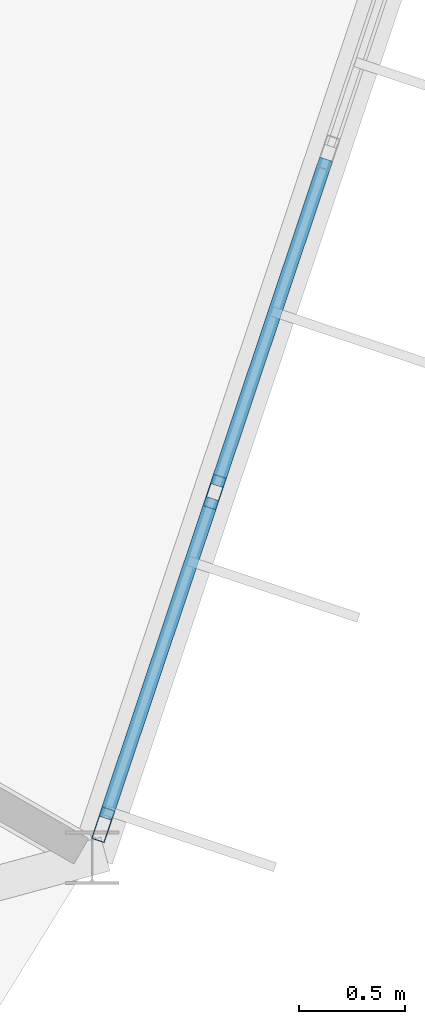
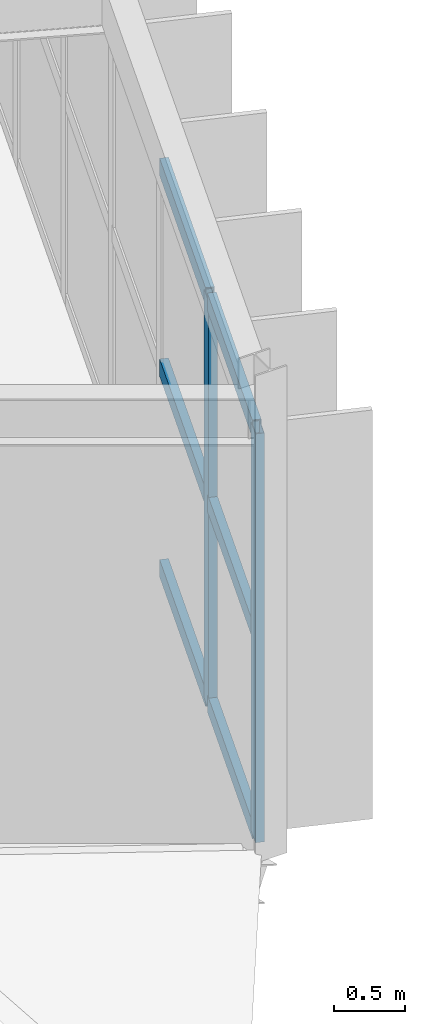
# One storey, part 17 of 66: 8 members, 1 element without a shape of its own.
"""IFC4 building model written with IfcOpenShell, lengths in metres."""

from ifc_helpers import new_model, si_unit, direction, frame, origin, origin_2d, place, context, subcontext, project, spatial, hollow_rectangle, extrude, material, material_profile, profile_set, type_object, element, aggregate, save


model = new_model("IFC4")

# Units and contexts
model_context = context("Model", 3, precision=1e-05, world=origin(), true_north=direction((0.0, 1.0)))
body_context = subcontext(model_context, "Body", "Model", "MODEL_VIEW")
ifc_project = project(units=[si_unit("LENGTHUNIT", "METRE"), si_unit("AREAUNIT", "SQUARE_METRE"), si_unit("VOLUMEUNIT", "CUBIC_METRE"), si_unit("PLANEANGLEUNIT", "RADIAN"), si_unit("MASSUNIT", "GRAM", prefix="KILO")], contexts=[model_context])

# Site, building, storey
site_placement = place(None, origin())
site = spatial("IfcSite", under=ifc_project, at=site_placement, CompositionType="ELEMENT")
building_placement = place(site_placement, origin())
building = spatial("IfcBuilding", under=site, at=building_placement, Name="Karori Crest Natural Sciences Institute", CompositionType="ELEMENT")
storey_placement = place(building_placement, frame((0.0, 0.0, 30.10009765625)))
storey = spatial("IfcBuildingStorey", under=building, at=storey_placement, Name="L07", CompositionType="ELEMENT", Elevation=30.10009765625)

# Curtain wall, members
ifc_material = material(Name="Anodised architectural aluminium 6063-T6", Category="aluminium")
curtain_wall_type = type_object("IfcCurtainWallType", Name="CWT-03", PredefinedType="NOTDEFINED", material=ifc_material)
curtain_wall_placement = place(storey_placement, origin())
curtain_wall = element("IfcCurtainWall", 1, at=curtain_wall_placement, inside=storey, type_object=curtain_wall_type, Name="Curtain wall CW-0240", PredefinedType="NOTDEFINED")
ifc_material_profile_1 = material_profile(ifc_material, hollow_rectangle(XDim=0.06494140625, YDim=0.159912109375, WallThickness=0.00390625, at=origin_2d()), Name="CWM160x65x4")
ifc_profile_set_1 = profile_set([ifc_material_profile_1], Name="Anodised architectural aluminium 6063-T6")
member_type_1 = type_object("IfcMemberType", Name="CWM-01", PredefinedType="MULLION", material=ifc_profile_set_1)
member_1_placement = place(storey_placement, frame((95.558837890625, 31.231201171875, 0.0), z_axis=(0.0, 0.0, 1.0), x_axis=(0.94819805026, -0.317679803392, 0.0)))
member_1 = element("IfcMember", 2, at=member_1_placement, type_object=member_type_1, Name="CW-0240 mullion 6", PredefinedType="MULLION", context=body_context, shape_type="SweptSolid", body=[
    extrude(hollow_rectangle(XDim=0.06494140625, YDim=0.159912109375, WallThickness=0.00390625, at=origin_2d()), origin(), (0.0, 0.0, 1.0), 3.52490234375),
])
member_2_placement = place(storey_placement, frame((95.031005859375, 29.656005859375, 0.0), z_axis=(0.0, 0.0, 1.0), x_axis=(0.94819805026, -0.317679803392, 0.0)))
member_2 = element("IfcMember", 3, at=member_2_placement, type_object=member_type_1, Name="CW-0240 mullion 7", PredefinedType="MULLION", context=body_context, shape_type="SweptSolid", body=[
    extrude(hollow_rectangle(XDim=0.06494140625, YDim=0.159912109375, WallThickness=0.00390625, at=origin_2d()), origin(), (0.0, 0.0, 1.0), 3.52490234375),
])
ifc_material_profile_2 = material_profile(ifc_material, hollow_rectangle(XDim=0.06494140625, YDim=0.14990234375, WallThickness=0.00390625, at=origin_2d()), Name="CWT150x65x4")
ifc_profile_set_2 = profile_set([ifc_material_profile_2], Name="Anodised architectural aluminium 6063-T6")
member_type_2 = type_object("IfcMemberType", Name="CWT-TR2", PredefinedType="USERDEFINED", material=ifc_profile_set_2)
member_3_placement = place(storey_placement, frame((96.08642578125, 32.806396484375, 0.032470703125), z_axis=(-0.317621421426, -0.948217608279, 0.0), x_axis=(0.948217608279, -0.317621421426, 0.0)))
member_3 = element("IfcMember", 4, at=member_3_placement, type_object=member_type_2, Name="CW-0240 transom 5.1", ObjectType="TRANSOM", PredefinedType="USERDEFINED", context=body_context, shape_type="SweptSolid", body=[
    extrude(hollow_rectangle(XDim=0.06494140625, YDim=0.14990234375, WallThickness=0.00390625, at=origin_2d()), origin(), (0.0, 0.0, 1.0), 1.628662109375),
])
member_4_placement = place(storey_placement, frame((96.08642578125, 32.806396484375, 1.762451171875), z_axis=(-0.317621421426, -0.948217608279, 0.0), x_axis=(0.948217608279, -0.317621421426, 0.0)))
member_4 = element("IfcMember", 5, at=member_4_placement, type_object=member_type_2, Name="CW-0240 transom 5.2", ObjectType="TRANSOM", PredefinedType="USERDEFINED", context=body_context, shape_type="SweptSolid", body=[
    extrude(hollow_rectangle(XDim=0.06494140625, YDim=0.14990234375, WallThickness=0.00390625, at=origin_2d()), origin(), (0.0, 0.0, 1.0), 1.628662109375),
])
member_5_placement = place(storey_placement, frame((96.08642578125, 32.806396484375, 3.492431640625), z_axis=(-0.317621421426, -0.948217608279, 0.0), x_axis=(0.948217608279, -0.317621421426, 0.0)))
member_5 = element("IfcMember", 6, at=member_5_placement, type_object=member_type_2, Name="CW-0240 transom 5.3", ObjectType="TRANSOM", PredefinedType="USERDEFINED", context=body_context, shape_type="SweptSolid", body=[
    extrude(hollow_rectangle(XDim=0.06494140625, YDim=0.14990234375, WallThickness=0.00390625, at=origin_2d()), origin(), (0.0, 0.0, 1.0), 1.628662109375),
])
member_6_placement = place(storey_placement, frame((95.54833984375, 31.2001953125, 0.032470703125), z_axis=(-0.317695793379, -0.9481926929, 0.0), x_axis=(0.9481926929, -0.317695793379, 0.0)))
member_6 = element("IfcMember", 7, at=member_6_placement, type_object=member_type_2, Name="CW-0240 transom 6.1", ObjectType="TRANSOM", PredefinedType="USERDEFINED", context=body_context, shape_type="SweptSolid", body=[
    extrude(hollow_rectangle(XDim=0.06494140625, YDim=0.14990234375, WallThickness=0.00390625, at=origin_2d()), origin(), (0.0, 0.0, 1.0), 1.59619140625),
])
member_7_placement = place(storey_placement, frame((95.54833984375, 31.2001953125, 1.762451171875), z_axis=(-0.317695793379, -0.9481926929, 0.0), x_axis=(0.9481926929, -0.317695793379, 0.0)))
member_7 = element("IfcMember", 8, at=member_7_placement, type_object=member_type_2, Name="CW-0240 transom 6.2", ObjectType="TRANSOM", PredefinedType="USERDEFINED", context=body_context, shape_type="SweptSolid", body=[
    extrude(hollow_rectangle(XDim=0.06494140625, YDim=0.14990234375, WallThickness=0.00390625, at=origin_2d()), origin(), (0.0, 0.0, 1.0), 1.59619140625),
])
member_8_placement = place(storey_placement, frame((95.54833984375, 31.2001953125, 3.492431640625), z_axis=(-0.317695793379, -0.9481926929, 0.0), x_axis=(0.9481926929, -0.317695793379, 0.0)))
member_8 = element("IfcMember", 9, at=member_8_placement, type_object=member_type_2, Name="CW-0240 transom 6.3", ObjectType="TRANSOM", PredefinedType="USERDEFINED", context=body_context, shape_type="SweptSolid", body=[
    extrude(hollow_rectangle(XDim=0.06494140625, YDim=0.14990234375, WallThickness=0.00390625, at=origin_2d()), origin(), (0.0, 0.0, 1.0), 1.59619140625),
])
aggregate(curtain_wall, [member_1, member_2, member_3, member_4, member_5, member_6, member_7, member_8])

save(model, "model.ifc")
